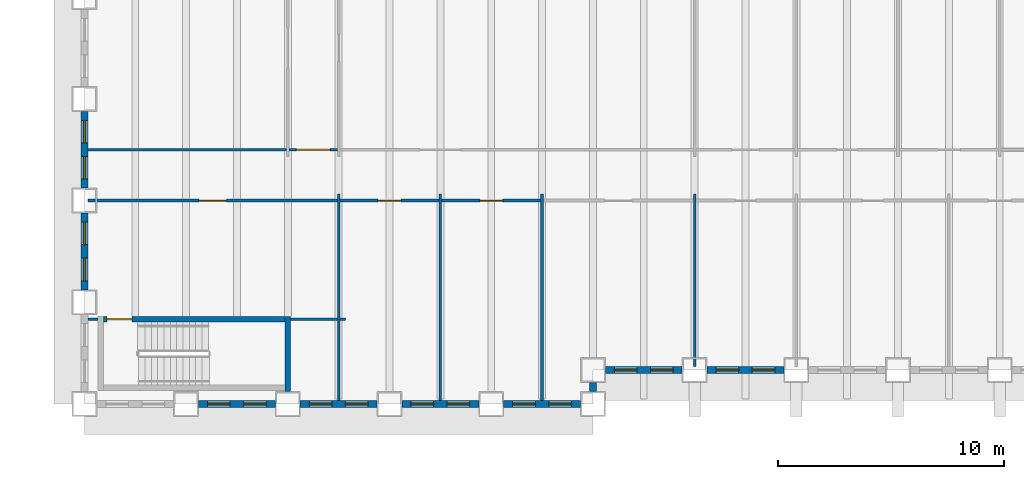
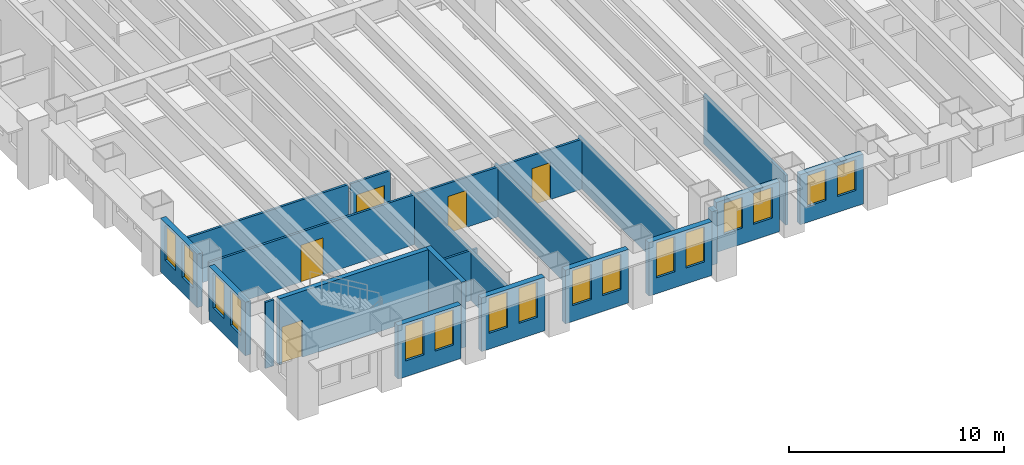
# One storey, part 3 of 16: 23 walls, 16 windows, 5 doors, 21 openings.
"""IFC4 building model written with IfcOpenShell, lengths in metres."""

from ifc_helpers import new_model, si_unit, direction, frame, frame_2d, origin, place, context, subcontext, project, spatial, rectangle, extrude, material, layer, layer_set, type_object, element, fill, save


model = new_model("IFC4")

# Units and contexts
model_context = context("Model", 3, precision=1e-05, world=origin(), true_north=direction((0.0, 1.0)))
body_context = subcontext(model_context, "Body", "Model", "MODEL_VIEW")
ifc_project = project(units=[si_unit("LENGTHUNIT", "METRE"), si_unit("AREAUNIT", "SQUARE_METRE"), si_unit("VOLUMEUNIT", "CUBIC_METRE"), si_unit("PLANEANGLEUNIT", "RADIAN"), si_unit("MASSUNIT", "GRAM", prefix="KILO")], contexts=[model_context])

# Site, building, storey
site_placement = place(None, origin())
site = spatial("IfcSite", under=ifc_project, at=site_placement, CompositionType="ELEMENT")
building_placement = place(site_placement, origin())
building = spatial("IfcBuilding", under=site, at=building_placement, Name="Sennacour Bend Tower", CompositionType="ELEMENT")
storey_placement = place(building_placement, frame((0.0, 0.0, 73.0)))
storey = spatial("IfcBuildingStorey", under=building, at=storey_placement, Name="L16", CompositionType="ELEMENT", Elevation=73.0)

# Walls
ifc_material_1 = material(Name="Plasterboard partition on steel studs", Category="steel")
ifc_layer_1 = layer(ifc_material_1, 0.1201171875, Name="Plasterboard partition on steel studs", Category="steel")
ifc_layer_set_1 = layer_set([ifc_layer_1], Name="Plasterboard partition on steel studs")
wall_type_1 = type_object("IfcWallType", Name="Partition 120", PredefinedType="PARTITIONING", material=ifc_layer_set_1)
for number, where, z_axis, x_axis, name in (
    (1, (11.25, 0.14990234375, 0.0), (0.0, 0.0, 1.0), (0.0, 1.0, 0.0), "P-L16-W013a"),
    (2, (15.75, 0.14990234375, 0.0), (0.0, 0.0, 1.0), (0.0, 1.0, 0.0), "P-L16-W019a"),
    (3, (20.25, 0.14990234375, 0.0), (0.0, 0.0, 1.0), (0.0, 1.0, 0.0), "P-L16-W024a"),
):
    element("IfcWall", number, at=place(storey_placement, frame(where, z_axis=z_axis, x_axis=x_axis)), inside=storey, type_object=wall_type_1, Name=name, PredefinedType="PARTITIONING", context=body_context, shape_type="SweptSolid", body=[
        extrude(rectangle(XDim=9.150146484375, YDim=0.1201171875, at=frame_2d((4.5751953125, 0.0))), origin(), (0.0, 0.0, 1.0), 2.837890625),
    ])
wall_1_placement = place(storey_placement, frame((27.0, 1.64990234375, 0.0), z_axis=(0.0, 0.0, 1.0), x_axis=(0.0, 1.0, 0.0)))
element("IfcWall", 4, at=wall_1_placement, inside=storey, type_object=wall_type_1, Name="P-L16-W026a", PredefinedType="PARTITIONING", context=body_context, shape_type="SweptSolid", body=[
    extrude(rectangle(XDim=7.650146484375, YDim=0.1201171875, at=frame_2d((3.8251953125, 0.0))), origin(), (0.0, 0.0, 1.0), 2.837890625),
])
wall_2_placement = place(storey_placement, frame((0.14990234375, 3.75, 0.0), z_axis=(0.0, 0.0, 1.0), x_axis=(1.0, 0.0, 0.0)))
element("IfcWall", 5, at=wall_2_placement, inside=storey, type_object=wall_type_1, Name="P-L16-W053a", PredefinedType="PARTITIONING", context=body_context, shape_type="SweptSolid", body=[
    extrude(rectangle(XDim=0.4501953125, YDim=0.1201171875, at=frame_2d((0.22509765625, 0.0))), origin(), (0.0, 0.0, 1.0), 3.75),
])
wall_3_placement = place(storey_placement, frame((9.125, 3.75, 0.0), z_axis=(0.0, 0.0, 1.0), x_axis=(1.0, 0.0, 0.0)))
element("IfcWall", 6, at=wall_3_placement, inside=storey, type_object=wall_type_1, Name="P-L16-W055aa", PredefinedType="PARTITIONING", context=body_context, shape_type="SweptSolid", body=[
    extrude(rectangle(XDim=2.06494140625, YDim=0.1201171875, at=frame_2d((1.032470703125, 0.0))), origin(), (0.0, 0.0, 1.0), 2.837890625),
])
wall_4_placement = place(storey_placement, frame((11.31005859375, 3.75, 0.0), z_axis=(0.0, 0.0, 1.0), x_axis=(1.0, 0.0, 0.0)))
element("IfcWall", 7, at=wall_4_placement, inside=storey, type_object=wall_type_1, Name="P-L16-W055ab", PredefinedType="PARTITIONING", context=body_context, shape_type="SweptSolid", body=[
    extrude(rectangle(XDim=0.239990234375, YDim=0.1201171875, at=frame_2d((0.1201171875, 0.0))), origin(), (0.0, 0.0, 1.0), 2.837890625),
])

# Wall, opening, door
wall_5_placement = place(storey_placement, frame((11.31005859375, 9.0, 0.0), z_axis=(0.0, 0.0, 1.0), x_axis=(1.0, 0.0, 0.0)))
wall_5 = element("IfcWall", 8, at=wall_5_placement, inside=storey, type_object=wall_type_1, Name="P-L16-W061ab", PredefinedType="PARTITIONING", context=body_context, shape_type="SweptSolid", body=[
    extrude(rectangle(XDim=4.3798828125, YDim=0.1201171875, at=frame_2d((2.18994140625, 0.0))), origin(), (0.0, 0.0, 1.0), 2.837890625),
])
opening_1_placement = place(wall_5_placement, frame((1.68994140625, 0.0, 0.0)))
opening_1 = element("IfcOpeningElement", 9, at=opening_1_placement, cuts=wall_5, Name="Opening OD2", PredefinedType="OPENING", context=body_context, shape_type="SweptSolid", body=[
    extrude(rectangle(XDim=1.0, YDim=2.10009765625, at=frame_2d((0.5, 1.050048828125))), frame((0.0, 0.070068359375, 0.0), z_axis=(0.0, -1.0, 0.0), x_axis=(1.0, 0.0, 0.0)), (0.0, 0.0, 1.0), 0.14013671875),
])
ifc_material_2 = material(Name="Timber", Category="wood")
door_type_1 = type_object("IfcDoorType", Name="DR-OFFICE-1000", OperationType="NOTDEFINED", PredefinedType="DOOR", material=ifc_material_2)
door_1_placement = place(opening_1_placement, origin())
door_1 = element("IfcDoor", 10, at=door_1_placement, inside=storey, type_object=door_type_1, Name="Door", OperationType="SINGLE_SWING_LEFT", OverallHeight=2.10009765625, OverallWidth=1.0, PredefinedType="DOOR", context=body_context, shape_type="SweptSolid", body=[
    extrude(rectangle(XDim=1.0, YDim=2.10009765625, at=frame_2d((0.5, 1.050048828125))), frame((0.0, 0.02490234375, 0.0), z_axis=(0.0, -1.0, 0.0), x_axis=(1.0, 0.0, 0.0)), (0.0, 0.0, 1.0), 0.050048828125),
])
fill(opening_1, door_1)

wall_6_placement = place(storey_placement, frame((15.81005859375, 9.0, 0.0), z_axis=(0.0, 0.0, 1.0), x_axis=(1.0, 0.0, 0.0)))
wall_6 = element("IfcWall", 11, at=wall_6_placement, inside=storey, type_object=wall_type_1, Name="P-L16-W061ac", PredefinedType="PARTITIONING", context=body_context, shape_type="SweptSolid", body=[
    extrude(rectangle(XDim=4.3798828125, YDim=0.1201171875, at=frame_2d((2.18994140625, 0.0))), origin(), (0.0, 0.0, 1.0), 2.837890625),
])
opening_2_placement = place(wall_6_placement, frame((1.68994140625, 0.0, 0.0)))
opening_2 = element("IfcOpeningElement", 12, at=opening_2_placement, cuts=wall_6, Name="Opening MD2", PredefinedType="OPENING", context=body_context, shape_type="SweptSolid", body=[
    extrude(rectangle(XDim=1.0, YDim=2.10009765625, at=frame_2d((0.5, 1.050048828125))), frame((0.0, 0.070068359375, 0.0), z_axis=(0.0, -1.0, 0.0), x_axis=(1.0, 0.0, 0.0)), (0.0, 0.0, 1.0), 0.14013671875),
])
door_type_2 = type_object("IfcDoorType", Name="DR-MEETING-1000", OperationType="NOTDEFINED", PredefinedType="DOOR", material=ifc_material_2)
door_2_placement = place(opening_2_placement, origin())
door_2 = element("IfcDoor", 13, at=door_2_placement, inside=storey, type_object=door_type_2, Name="Door", OperationType="SINGLE_SWING_LEFT", OverallHeight=2.10009765625, OverallWidth=1.0, PredefinedType="DOOR", context=body_context, shape_type="SweptSolid", body=[
    extrude(rectangle(XDim=1.0, YDim=2.10009765625, at=frame_2d((0.5, 1.050048828125))), frame((0.0, 0.02490234375, 0.0), z_axis=(0.0, -1.0, 0.0), x_axis=(1.0, 0.0, 0.0)), (0.0, 0.0, 1.0), 0.050048828125),
])
fill(opening_2, door_2)

# Wall
wall_7_placement = place(storey_placement, frame((0.14990234375, 11.25, 0.0), z_axis=(0.0, 0.0, 1.0), x_axis=(1.0, 0.0, 0.0)))
element("IfcWall", 14, at=wall_7_placement, inside=storey, type_object=wall_type_1, Name="P-L16-W063aa", PredefinedType="PARTITIONING", context=body_context, shape_type="SweptSolid", body=[
    extrude(rectangle(XDim=8.7900390625, YDim=0.1201171875, at=frame_2d((4.39501953125, 0.0))), origin(), (0.0, 0.0, 1.0), 2.837890625),
])

# Wall, opening, door
ifc_layer_2 = layer(ifc_material_1, 0.1201171875, Name="Plasterboard partition on steel studs", Category="steel")
ifc_layer_set_2 = layer_set([ifc_layer_2], Name="Plasterboard partition on steel studs")
wall_type_2 = type_object("IfcWallType", Name="Partition 120 EI 30", PredefinedType="PARTITIONING", material=ifc_layer_set_2)
wall_8_placement = place(storey_placement, frame((0.14990234375, 9.0, 0.0), z_axis=(0.0, 0.0, 1.0), x_axis=(1.0, 0.0, 0.0)))
wall_8 = element("IfcWall", 15, at=wall_8_placement, inside=storey, type_object=wall_type_2, Name="P-L16-W061aa", PredefinedType="PARTITIONING", context=body_context, shape_type="SweptSolid", body=[
    extrude(rectangle(XDim=11.0400390625, YDim=0.1201171875, at=frame_2d((5.52001953125, 0.0))), origin(), (0.0, 0.0, 1.0), 2.837890625),
])
opening_3_placement = place(wall_8_placement, frame((4.93017578125, 0.0, 0.0)))
opening_3 = element("IfcOpeningElement", 16, at=opening_3_placement, cuts=wall_8, Name="Opening KD2", PredefinedType="OPENING", context=body_context, shape_type="SweptSolid", body=[
    extrude(rectangle(XDim=1.199951171875, YDim=2.10009765625, at=frame_2d((0.60009765625, 1.050048828125))), frame((0.0, 0.070068359375, 0.0), z_axis=(0.0, -1.0, 0.0), x_axis=(1.0, 0.0, 0.0)), (0.0, 0.0, 1.0), 0.14013671875),
])
ifc_material_3 = material(Name="Painted steel", Category="steel")
door_type_3 = type_object("IfcDoorType", Name="DR-CORRIDOR-1200", OperationType="NOTDEFINED", PredefinedType="DOOR", material=ifc_material_3)
door_3_placement = place(opening_3_placement, origin())
door_3 = element("IfcDoor", 17, at=door_3_placement, inside=storey, type_object=door_type_3, Name="Door", OperationType="SINGLE_SWING_LEFT", OverallHeight=2.10009765625, OverallWidth=1.199951171875, PredefinedType="DOOR", context=body_context, shape_type="SweptSolid", body=[
    extrude(rectangle(XDim=1.199951171875, YDim=2.10009765625, at=frame_2d((0.60009765625, 1.050048828125))), frame((0.0, 0.02490234375, 0.0), z_axis=(0.0, -1.0, 0.0), x_axis=(1.0, 0.0, 0.0)), (0.0, 0.0, 1.0), 0.050048828125),
])
fill(opening_3, door_3)

wall_9_placement = place(storey_placement, frame((9.06005859375, 11.25, 0.0), z_axis=(0.0, 0.0, 1.0), x_axis=(1.0, 0.0, 0.0)))
wall_9 = element("IfcWall", 18, at=wall_9_placement, inside=storey, type_object=wall_type_2, Name="P-L16-W063ab", PredefinedType="PARTITIONING", context=body_context, shape_type="SweptSolid", body=[
    extrude(rectangle(XDim=2.1298828125, YDim=0.1201171875, at=frame_2d((1.06494140625, 0.0))), origin(), (0.0, 0.0, 1.0), 2.837890625),
])
opening_4_placement = place(wall_9_placement, frame((0.31494140625, 0.0, 0.0)))
opening_4 = element("IfcOpeningElement", 19, at=opening_4_placement, cuts=wall_9, Name="Opening KD", PredefinedType="OPENING", context=body_context, shape_type="SweptSolid", body=[
    extrude(rectangle(XDim=1.5, YDim=2.10009765625, at=frame_2d((0.75, 1.050048828125))), frame((0.0, 0.070068359375, 0.0), z_axis=(0.0, -1.0, 0.0), x_axis=(1.0, 0.0, 0.0)), (0.0, 0.0, 1.0), 0.14013671875),
])
door_type_4 = type_object("IfcDoorType", Name="DR-CORRIDOR-1500", OperationType="NOTDEFINED", PredefinedType="DOOR", material=ifc_material_3)
door_4_placement = place(opening_4_placement, origin())
door_4 = element("IfcDoor", 20, at=door_4_placement, inside=storey, type_object=door_type_4, Name="Door", OperationType="SINGLE_SWING_LEFT", OverallHeight=2.10009765625, OverallWidth=1.5, PredefinedType="DOOR", context=body_context, shape_type="SweptSolid", body=[
    extrude(rectangle(XDim=1.5, YDim=2.10009765625, at=frame_2d((0.75, 1.050048828125))), frame((0.0, 0.02490234375, 0.0), z_axis=(0.0, -1.0, 0.0), x_axis=(1.0, 0.0, 0.0)), (0.0, 0.0, 1.0), 0.050048828125),
])
fill(opening_4, door_4)

# Wall, openings, windows
ifc_material_4 = material(Name="Warm limestone cladding", Category="masonry")
ifc_layer_3 = layer(ifc_material_4, 0.050048828125, Name="Warm limestone cladding", Category="masonry")
ifc_material_5 = material(Name="Precast concrete C40/50", Category="concrete")
ifc_layer_4 = layer(ifc_material_5, 0.25, Name="Precast concrete C40/50", Category="concrete")
ifc_layer_set_3 = layer_set([ifc_layer_3, ifc_layer_4], Name="Precast concrete C40/50 with limestone cladding")
wall_type_3 = type_object("IfcWallType", Name="STONE-CLAD PRECAST SPANDREL 300", PredefinedType="STANDARD", material=ifc_layer_set_3)
wall_10_placement = place(storey_placement, frame((5.050048828125, 0.0, 0.0), z_axis=(0.0, 0.0, 1.0), x_axis=(1.0, 0.0, 0.0)))
wall_10 = element("IfcWall", 21, at=wall_10_placement, inside=storey, type_object=wall_type_3, Name="Stone spandrel and pier wall L16 00.01", PredefinedType="STANDARD", context=body_context, shape_type="SweptSolid", body=[
    extrude(rectangle(XDim=3.39990234375, YDim=0.300048828125, at=frame_2d((1.699951171875, 0.0))), origin(), (0.0, 0.0, 1.0), 3.0439453125),
])
opening_5_placement = place(wall_10_placement, frame((0.39990234375, 0.0, 0.89990234375)))
opening_5 = element("IfcOpeningElement", 22, at=opening_5_placement, cuts=wall_10, Name="Opening W8", PredefinedType="OPENING", context=body_context, shape_type="SweptSolid", body=[
    extrude(rectangle(XDim=1.0, YDim=2.0, at=frame_2d((0.5, 1.0))), frame((0.0, 0.16015625, 0.0), z_axis=(0.0, -1.0, 0.0), x_axis=(1.0, 0.0, 0.0)), (0.0, 0.0, 1.0), 0.320068359375),
])
opening_6_placement = place(wall_10_placement, frame((2.0, 0.0, 0.89990234375)))
opening_6 = element("IfcOpeningElement", 23, at=opening_6_placement, cuts=wall_10, Name="Opening W8", PredefinedType="OPENING", context=body_context, shape_type="SweptSolid", body=[
    extrude(rectangle(XDim=1.0, YDim=2.0, at=frame_2d((0.5, 1.0))), frame((0.0, 0.16015625, 0.0), z_axis=(0.0, -1.0, 0.0), x_axis=(1.0, 0.0, 0.0)), (0.0, 0.0, 1.0), 0.320068359375),
])
ifc_material_6 = material(Name="Clear low-emissivity glass", Category="glass")
window_type_1 = type_object("IfcWindowType", Name="WIN-RIBBON-1000x2000", PartitioningType="SINGLE_PANEL", PredefinedType="WINDOW", material=ifc_material_6)
window_1_placement = place(opening_5_placement, origin())
window_1 = element("IfcWindow", 24, at=window_1_placement, inside=storey, type_object=window_type_1, Name="Ribbon window L16 00.01.0", OverallHeight=2.0, OverallWidth=1.0, PartitioningType="SINGLE_PANEL", PredefinedType="WINDOW", context=body_context, shape_type="SweptSolid", body=[
    extrude(rectangle(XDim=1.0, YDim=2.0, at=frame_2d((0.5, 1.0))), frame((0.0, 0.030029296875, 0.0), z_axis=(0.0, -1.0, 0.0), x_axis=(1.0, 0.0, 0.0)), (0.0, 0.0, 1.0), 0.06005859375),
])
fill(opening_5, window_1)
window_2_placement = place(opening_6_placement, origin())
window_2 = element("IfcWindow", 25, at=window_2_placement, inside=storey, type_object=window_type_1, Name="Ribbon window L16 00.01.1", OverallHeight=2.0, OverallWidth=1.0, PartitioningType="SINGLE_PANEL", PredefinedType="WINDOW", context=body_context, shape_type="SweptSolid", body=[
    extrude(rectangle(XDim=1.0, YDim=2.0, at=frame_2d((0.5, 1.0))), frame((0.0, 0.030029296875, 0.0), z_axis=(0.0, -1.0, 0.0), x_axis=(1.0, 0.0, 0.0)), (0.0, 0.0, 1.0), 0.06005859375),
])
fill(opening_6, window_2)

wall_11_placement = place(storey_placement, frame((9.550048828125, 0.0, 0.0), z_axis=(0.0, 0.0, 1.0), x_axis=(1.0, 0.0, 0.0)))
wall_11 = element("IfcWall", 26, at=wall_11_placement, inside=storey, type_object=wall_type_3, Name="Stone spandrel and pier wall L16 00.02", PredefinedType="STANDARD", context=body_context, shape_type="SweptSolid", body=[
    extrude(rectangle(XDim=3.39990234375, YDim=0.300048828125, at=frame_2d((1.699951171875, 0.0))), origin(), (0.0, 0.0, 1.0), 3.0439453125),
])
opening_7_placement = place(wall_11_placement, frame((0.39990234375, 0.0, 0.89990234375)))
opening_7 = element("IfcOpeningElement", 27, at=opening_7_placement, cuts=wall_11, Name="Opening W8", PredefinedType="OPENING", context=body_context, shape_type="SweptSolid", body=[
    extrude(rectangle(XDim=1.0, YDim=2.0, at=frame_2d((0.5, 1.0))), frame((0.0, 0.16015625, 0.0), z_axis=(0.0, -1.0, 0.0), x_axis=(1.0, 0.0, 0.0)), (0.0, 0.0, 1.0), 0.320068359375),
])
opening_8_placement = place(wall_11_placement, frame((2.0, 0.0, 0.89990234375)))
opening_8 = element("IfcOpeningElement", 28, at=opening_8_placement, cuts=wall_11, Name="Opening W8", PredefinedType="OPENING", context=body_context, shape_type="SweptSolid", body=[
    extrude(rectangle(XDim=1.0, YDim=2.0, at=frame_2d((0.5, 1.0))), frame((0.0, 0.16015625, 0.0), z_axis=(0.0, -1.0, 0.0), x_axis=(1.0, 0.0, 0.0)), (0.0, 0.0, 1.0), 0.320068359375),
])
window_3_placement = place(opening_7_placement, origin())
window_3 = element("IfcWindow", 29, at=window_3_placement, inside=storey, type_object=window_type_1, Name="Ribbon window L16 00.02.0", OverallHeight=2.0, OverallWidth=1.0, PartitioningType="SINGLE_PANEL", PredefinedType="WINDOW", context=body_context, shape_type="SweptSolid", body=[
    extrude(rectangle(XDim=1.0, YDim=2.0, at=frame_2d((0.5, 1.0))), frame((0.0, 0.030029296875, 0.0), z_axis=(0.0, -1.0, 0.0), x_axis=(1.0, 0.0, 0.0)), (0.0, 0.0, 1.0), 0.06005859375),
])
fill(opening_7, window_3)
window_4_placement = place(opening_8_placement, origin())
window_4 = element("IfcWindow", 30, at=window_4_placement, inside=storey, type_object=window_type_1, Name="Ribbon window L16 00.02.1", OverallHeight=2.0, OverallWidth=1.0, PartitioningType="SINGLE_PANEL", PredefinedType="WINDOW", context=body_context, shape_type="SweptSolid", body=[
    extrude(rectangle(XDim=1.0, YDim=2.0, at=frame_2d((0.5, 1.0))), frame((0.0, 0.030029296875, 0.0), z_axis=(0.0, -1.0, 0.0), x_axis=(1.0, 0.0, 0.0)), (0.0, 0.0, 1.0), 0.06005859375),
])
fill(opening_8, window_4)

wall_12_placement = place(storey_placement, frame((14.050048828125, 0.0, 0.0), z_axis=(0.0, 0.0, 1.0), x_axis=(1.0, 0.0, 0.0)))
wall_12 = element("IfcWall", 31, at=wall_12_placement, inside=storey, type_object=wall_type_3, Name="Stone spandrel and pier wall L16 00.03", PredefinedType="STANDARD", context=body_context, shape_type="SweptSolid", body=[
    extrude(rectangle(XDim=3.39990234375, YDim=0.300048828125, at=frame_2d((1.699951171875, 0.0))), origin(), (0.0, 0.0, 1.0), 3.0439453125),
])
opening_9_placement = place(wall_12_placement, frame((0.39990234375, 0.0, 0.89990234375)))
opening_9 = element("IfcOpeningElement", 32, at=opening_9_placement, cuts=wall_12, Name="Opening W8", PredefinedType="OPENING", context=body_context, shape_type="SweptSolid", body=[
    extrude(rectangle(XDim=1.0, YDim=2.0, at=frame_2d((0.5, 1.0))), frame((0.0, 0.16015625, 0.0), z_axis=(0.0, -1.0, 0.0), x_axis=(1.0, 0.0, 0.0)), (0.0, 0.0, 1.0), 0.320068359375),
])
opening_10_placement = place(wall_12_placement, frame((2.0, 0.0, 0.89990234375)))
opening_10 = element("IfcOpeningElement", 33, at=opening_10_placement, cuts=wall_12, Name="Opening W8", PredefinedType="OPENING", context=body_context, shape_type="SweptSolid", body=[
    extrude(rectangle(XDim=1.0, YDim=2.0, at=frame_2d((0.5, 1.0))), frame((0.0, 0.16015625, 0.0), z_axis=(0.0, -1.0, 0.0), x_axis=(1.0, 0.0, 0.0)), (0.0, 0.0, 1.0), 0.320068359375),
])
window_5_placement = place(opening_9_placement, origin())
window_5 = element("IfcWindow", 34, at=window_5_placement, inside=storey, type_object=window_type_1, Name="Ribbon window L16 00.03.0", OverallHeight=2.0, OverallWidth=1.0, PartitioningType="SINGLE_PANEL", PredefinedType="WINDOW", context=body_context, shape_type="SweptSolid", body=[
    extrude(rectangle(XDim=1.0, YDim=2.0, at=frame_2d((0.5, 1.0))), frame((0.0, 0.030029296875, 0.0), z_axis=(0.0, -1.0, 0.0), x_axis=(1.0, 0.0, 0.0)), (0.0, 0.0, 1.0), 0.06005859375),
])
fill(opening_9, window_5)
window_6_placement = place(opening_10_placement, origin())
window_6 = element("IfcWindow", 35, at=window_6_placement, inside=storey, type_object=window_type_1, Name="Ribbon window L16 00.03.1", OverallHeight=2.0, OverallWidth=1.0, PartitioningType="SINGLE_PANEL", PredefinedType="WINDOW", context=body_context, shape_type="SweptSolid", body=[
    extrude(rectangle(XDim=1.0, YDim=2.0, at=frame_2d((0.5, 1.0))), frame((0.0, 0.030029296875, 0.0), z_axis=(0.0, -1.0, 0.0), x_axis=(1.0, 0.0, 0.0)), (0.0, 0.0, 1.0), 0.06005859375),
])
fill(opening_10, window_6)

wall_13_placement = place(storey_placement, frame((18.550048828125, 0.0, 0.0), z_axis=(0.0, 0.0, 1.0), x_axis=(1.0, 0.0, 0.0)))
wall_13 = element("IfcWall", 36, at=wall_13_placement, inside=storey, type_object=wall_type_3, Name="Stone spandrel and pier wall L16 00.04", PredefinedType="STANDARD", context=body_context, shape_type="SweptSolid", body=[
    extrude(rectangle(XDim=3.39990234375, YDim=0.300048828125, at=frame_2d((1.699951171875, 0.0))), origin(), (0.0, 0.0, 1.0), 3.0439453125),
])
opening_11_placement = place(wall_13_placement, frame((0.39990234375, 0.0, 0.89990234375)))
opening_11 = element("IfcOpeningElement", 37, at=opening_11_placement, cuts=wall_13, Name="Opening W8", PredefinedType="OPENING", context=body_context, shape_type="SweptSolid", body=[
    extrude(rectangle(XDim=1.0, YDim=2.0, at=frame_2d((0.5, 1.0))), frame((0.0, 0.16015625, 0.0), z_axis=(0.0, -1.0, 0.0), x_axis=(1.0, 0.0, 0.0)), (0.0, 0.0, 1.0), 0.320068359375),
])
opening_12_placement = place(wall_13_placement, frame((2.0, 0.0, 0.89990234375)))
opening_12 = element("IfcOpeningElement", 38, at=opening_12_placement, cuts=wall_13, Name="Opening W8", PredefinedType="OPENING", context=body_context, shape_type="SweptSolid", body=[
    extrude(rectangle(XDim=1.0, YDim=2.0, at=frame_2d((0.5, 1.0))), frame((0.0, 0.16015625, 0.0), z_axis=(0.0, -1.0, 0.0), x_axis=(1.0, 0.0, 0.0)), (0.0, 0.0, 1.0), 0.320068359375),
])
window_7_placement = place(opening_11_placement, origin())
window_7 = element("IfcWindow", 39, at=window_7_placement, inside=storey, type_object=window_type_1, Name="Ribbon window L16 00.04.0", OverallHeight=2.0, OverallWidth=1.0, PartitioningType="SINGLE_PANEL", PredefinedType="WINDOW", context=body_context, shape_type="SweptSolid", body=[
    extrude(rectangle(XDim=1.0, YDim=2.0, at=frame_2d((0.5, 1.0))), frame((0.0, 0.030029296875, 0.0), z_axis=(0.0, -1.0, 0.0), x_axis=(1.0, 0.0, 0.0)), (0.0, 0.0, 1.0), 0.06005859375),
])
fill(opening_11, window_7)
window_8_placement = place(opening_12_placement, origin())
window_8 = element("IfcWindow", 40, at=window_8_placement, inside=storey, type_object=window_type_1, Name="Ribbon window L16 00.04.1", OverallHeight=2.0, OverallWidth=1.0, PartitioningType="SINGLE_PANEL", PredefinedType="WINDOW", context=body_context, shape_type="SweptSolid", body=[
    extrude(rectangle(XDim=1.0, YDim=2.0, at=frame_2d((0.5, 1.0))), frame((0.0, 0.030029296875, 0.0), z_axis=(0.0, -1.0, 0.0), x_axis=(1.0, 0.0, 0.0)), (0.0, 0.0, 1.0), 0.06005859375),
])
fill(opening_12, window_8)

# Wall
wall_14_placement = place(storey_placement, frame((22.5, 0.550048828125, 0.0), z_axis=(0.0, 0.0, 1.0), x_axis=(0.0, 1.0, 0.0)))
element("IfcWall", 41, at=wall_14_placement, inside=storey, type_object=wall_type_3, Name="Stone spandrel and pier wall L16 01.00", PredefinedType="STANDARD", context=body_context, shape_type="SweptSolid", body=[
    extrude(rectangle(XDim=0.39990234375, YDim=0.300048828125, at=frame_2d((0.199951171875, 0.0))), origin(), (0.0, 0.0, 1.0), 3.0439453125),
])

# Wall, openings, windows
wall_15_placement = place(storey_placement, frame((23.050048828125, 1.5, 0.0), z_axis=(0.0, 0.0, 1.0), x_axis=(1.0, 0.0, 0.0)))
wall_15 = element("IfcWall", 42, at=wall_15_placement, inside=storey, type_object=wall_type_3, Name="Stone spandrel and pier wall L16 02.00", PredefinedType="STANDARD", context=body_context, shape_type="SweptSolid", body=[
    extrude(rectangle(XDim=3.39990234375, YDim=0.300048828125, at=frame_2d((1.699951171875, 0.0))), origin(), (0.0, 0.0, 1.0), 2.837890625),
])
opening_13_placement = place(wall_15_placement, frame((0.39990234375, 0.0, 0.89990234375)))
opening_13 = element("IfcOpeningElement", 43, at=opening_13_placement, cuts=wall_15, Name="Opening W11", PredefinedType="OPENING", context=body_context, shape_type="SweptSolid", body=[
    extrude(rectangle(XDim=1.0, YDim=1.75, at=frame_2d((0.5, 0.875))), frame((0.0, 0.16015625, 0.0), z_axis=(0.0, -1.0, 0.0), x_axis=(1.0, 0.0, 0.0)), (0.0, 0.0, 1.0), 0.320068359375),
])
opening_14_placement = place(wall_15_placement, frame((2.0, 0.0, 0.89990234375)))
opening_14 = element("IfcOpeningElement", 44, at=opening_14_placement, cuts=wall_15, Name="Opening W11", PredefinedType="OPENING", context=body_context, shape_type="SweptSolid", body=[
    extrude(rectangle(XDim=1.0, YDim=1.75, at=frame_2d((0.5, 0.875))), frame((0.0, 0.16015625, 0.0), z_axis=(0.0, -1.0, 0.0), x_axis=(1.0, 0.0, 0.0)), (0.0, 0.0, 1.0), 0.320068359375),
])
window_type_2 = type_object("IfcWindowType", Name="WIN-RIBBON-1000x1750", PartitioningType="SINGLE_PANEL", PredefinedType="WINDOW", material=ifc_material_6)
window_9_placement = place(opening_13_placement, origin())
window_9 = element("IfcWindow", 45, at=window_9_placement, inside=storey, type_object=window_type_2, Name="Ribbon window L16 02.00.0", OverallHeight=1.75, OverallWidth=1.0, PartitioningType="SINGLE_PANEL", PredefinedType="WINDOW", context=body_context, shape_type="SweptSolid", body=[
    extrude(rectangle(XDim=1.0, YDim=1.75, at=frame_2d((0.5, 0.875))), frame((0.0, 0.030029296875, 0.0), z_axis=(0.0, -1.0, 0.0), x_axis=(1.0, 0.0, 0.0)), (0.0, 0.0, 1.0), 0.06005859375),
])
fill(opening_13, window_9)
window_10_placement = place(opening_14_placement, origin())
window_10 = element("IfcWindow", 46, at=window_10_placement, inside=storey, type_object=window_type_2, Name="Ribbon window L16 02.00.1", OverallHeight=1.75, OverallWidth=1.0, PartitioningType="SINGLE_PANEL", PredefinedType="WINDOW", context=body_context, shape_type="SweptSolid", body=[
    extrude(rectangle(XDim=1.0, YDim=1.75, at=frame_2d((0.5, 0.875))), frame((0.0, 0.030029296875, 0.0), z_axis=(0.0, -1.0, 0.0), x_axis=(1.0, 0.0, 0.0)), (0.0, 0.0, 1.0), 0.06005859375),
])
fill(opening_14, window_10)

wall_16_placement = place(storey_placement, frame((27.550048828125, 1.5, 0.0), z_axis=(0.0, 0.0, 1.0), x_axis=(1.0, 0.0, 0.0)))
wall_16 = element("IfcWall", 47, at=wall_16_placement, inside=storey, type_object=wall_type_3, Name="Stone spandrel and pier wall L16 02.01", PredefinedType="STANDARD", context=body_context, shape_type="SweptSolid", body=[
    extrude(rectangle(XDim=3.39990234375, YDim=0.300048828125, at=frame_2d((1.699951171875, 0.0))), origin(), (0.0, 0.0, 1.0), 2.837890625),
])
opening_15_placement = place(wall_16_placement, frame((0.39990234375, 0.0, 0.89990234375)))
opening_15 = element("IfcOpeningElement", 48, at=opening_15_placement, cuts=wall_16, Name="Opening W11", PredefinedType="OPENING", context=body_context, shape_type="SweptSolid", body=[
    extrude(rectangle(XDim=1.0, YDim=1.75, at=frame_2d((0.5, 0.875))), frame((0.0, 0.16015625, 0.0), z_axis=(0.0, -1.0, 0.0), x_axis=(1.0, 0.0, 0.0)), (0.0, 0.0, 1.0), 0.320068359375),
])
opening_16_placement = place(wall_16_placement, frame((2.0, 0.0, 0.89990234375)))
opening_16 = element("IfcOpeningElement", 49, at=opening_16_placement, cuts=wall_16, Name="Opening W11", PredefinedType="OPENING", context=body_context, shape_type="SweptSolid", body=[
    extrude(rectangle(XDim=1.0, YDim=1.75, at=frame_2d((0.5, 0.875))), frame((0.0, 0.16015625, 0.0), z_axis=(0.0, -1.0, 0.0), x_axis=(1.0, 0.0, 0.0)), (0.0, 0.0, 1.0), 0.320068359375),
])
window_11_placement = place(opening_15_placement, origin())
window_11 = element("IfcWindow", 50, at=window_11_placement, inside=storey, type_object=window_type_2, Name="Ribbon window L16 02.01.0", OverallHeight=1.75, OverallWidth=1.0, PartitioningType="SINGLE_PANEL", PredefinedType="WINDOW", context=body_context, shape_type="SweptSolid", body=[
    extrude(rectangle(XDim=1.0, YDim=1.75, at=frame_2d((0.5, 0.875))), frame((0.0, 0.030029296875, 0.0), z_axis=(0.0, -1.0, 0.0), x_axis=(1.0, 0.0, 0.0)), (0.0, 0.0, 1.0), 0.06005859375),
])
fill(opening_15, window_11)
window_12_placement = place(opening_16_placement, origin())
window_12 = element("IfcWindow", 51, at=window_12_placement, inside=storey, type_object=window_type_2, Name="Ribbon window L16 02.01.1", OverallHeight=1.75, OverallWidth=1.0, PartitioningType="SINGLE_PANEL", PredefinedType="WINDOW", context=body_context, shape_type="SweptSolid", body=[
    extrude(rectangle(XDim=1.0, YDim=1.75, at=frame_2d((0.5, 0.875))), frame((0.0, 0.030029296875, 0.0), z_axis=(0.0, -1.0, 0.0), x_axis=(1.0, 0.0, 0.0)), (0.0, 0.0, 1.0), 0.06005859375),
])
fill(opening_16, window_12)

wall_17_placement = place(storey_placement, frame((0.0, 12.949951171875, 0.0), z_axis=(0.0, 0.0, 1.0), x_axis=(0.0, -1.0, 0.0)))
wall_17 = element("IfcWall", 52, at=wall_17_placement, inside=storey, type_object=wall_type_3, Name="Stone spandrel and pier wall L16 23.02", PredefinedType="STANDARD", context=body_context, shape_type="SweptSolid", body=[
    extrude(rectangle(XDim=3.39990234375, YDim=0.300048828125, at=frame_2d((1.699951171875, 0.0))), origin(), (0.0, 0.0, 1.0), 3.0439453125),
])
opening_17_placement = place(wall_17_placement, frame((0.39990234375, 0.0, 0.89990234375)))
opening_17 = element("IfcOpeningElement", 53, at=opening_17_placement, cuts=wall_17, Name="Opening W8", PredefinedType="OPENING", context=body_context, shape_type="SweptSolid", body=[
    extrude(rectangle(XDim=1.0, YDim=2.0, at=frame_2d((0.5, 1.0))), frame((0.0, 0.16015625, 0.0), z_axis=(0.0, -1.0, 0.0), x_axis=(1.0, 0.0, 0.0)), (0.0, 0.0, 1.0), 0.320068359375),
])
opening_18_placement = place(wall_17_placement, frame((2.0, 0.0, 0.89990234375)))
opening_18 = element("IfcOpeningElement", 54, at=opening_18_placement, cuts=wall_17, Name="Opening W8", PredefinedType="OPENING", context=body_context, shape_type="SweptSolid", body=[
    extrude(rectangle(XDim=1.0, YDim=2.0, at=frame_2d((0.5, 1.0))), frame((0.0, 0.16015625, 0.0), z_axis=(0.0, -1.0, 0.0), x_axis=(1.0, 0.0, 0.0)), (0.0, 0.0, 1.0), 0.320068359375),
])
window_13_placement = place(opening_17_placement, origin())
window_13 = element("IfcWindow", 55, at=window_13_placement, inside=storey, type_object=window_type_1, Name="Ribbon window L16 23.02.0", OverallHeight=2.0, OverallWidth=1.0, PartitioningType="SINGLE_PANEL", PredefinedType="WINDOW", context=body_context, shape_type="SweptSolid", body=[
    extrude(rectangle(XDim=1.0, YDim=2.0, at=frame_2d((0.5, 1.0))), frame((0.0, 0.030029296875, 0.0), z_axis=(0.0, -1.0, 0.0), x_axis=(1.0, 0.0, 0.0)), (0.0, 0.0, 1.0), 0.06005859375),
])
fill(opening_17, window_13)
window_14_placement = place(opening_18_placement, origin())
window_14 = element("IfcWindow", 56, at=window_14_placement, inside=storey, type_object=window_type_1, Name="Ribbon window L16 23.02.1", OverallHeight=2.0, OverallWidth=1.0, PartitioningType="SINGLE_PANEL", PredefinedType="WINDOW", context=body_context, shape_type="SweptSolid", body=[
    extrude(rectangle(XDim=1.0, YDim=2.0, at=frame_2d((0.5, 1.0))), frame((0.0, 0.030029296875, 0.0), z_axis=(0.0, -1.0, 0.0), x_axis=(1.0, 0.0, 0.0)), (0.0, 0.0, 1.0), 0.06005859375),
])
fill(opening_18, window_14)

wall_18_placement = place(storey_placement, frame((0.0, 8.449951171875, 0.0), z_axis=(0.0, 0.0, 1.0), x_axis=(0.0, -1.0, 0.0)))
wall_18 = element("IfcWall", 57, at=wall_18_placement, inside=storey, type_object=wall_type_3, Name="Stone spandrel and pier wall L16 23.03", PredefinedType="STANDARD", context=body_context, shape_type="SweptSolid", body=[
    extrude(rectangle(XDim=3.39990234375, YDim=0.300048828125, at=frame_2d((1.699951171875, 0.0))), origin(), (0.0, 0.0, 1.0), 3.0439453125),
])
opening_19_placement = place(wall_18_placement, frame((0.39990234375, 0.0, 0.89990234375)))
opening_19 = element("IfcOpeningElement", 58, at=opening_19_placement, cuts=wall_18, Name="Opening W8", PredefinedType="OPENING", context=body_context, shape_type="SweptSolid", body=[
    extrude(rectangle(XDim=1.0, YDim=2.0, at=frame_2d((0.5, 1.0))), frame((0.0, 0.16015625, 0.0), z_axis=(0.0, -1.0, 0.0), x_axis=(1.0, 0.0, 0.0)), (0.0, 0.0, 1.0), 0.320068359375),
])
opening_20_placement = place(wall_18_placement, frame((2.0, 0.0, 0.89990234375)))
opening_20 = element("IfcOpeningElement", 59, at=opening_20_placement, cuts=wall_18, Name="Opening W8", PredefinedType="OPENING", context=body_context, shape_type="SweptSolid", body=[
    extrude(rectangle(XDim=1.0, YDim=2.0, at=frame_2d((0.5, 1.0))), frame((0.0, 0.16015625, 0.0), z_axis=(0.0, -1.0, 0.0), x_axis=(1.0, 0.0, 0.0)), (0.0, 0.0, 1.0), 0.320068359375),
])
window_15_placement = place(opening_19_placement, origin())
window_15 = element("IfcWindow", 60, at=window_15_placement, inside=storey, type_object=window_type_1, Name="Ribbon window L16 23.03.0", OverallHeight=2.0, OverallWidth=1.0, PartitioningType="SINGLE_PANEL", PredefinedType="WINDOW", context=body_context, shape_type="SweptSolid", body=[
    extrude(rectangle(XDim=1.0, YDim=2.0, at=frame_2d((0.5, 1.0))), frame((0.0, 0.030029296875, 0.0), z_axis=(0.0, -1.0, 0.0), x_axis=(1.0, 0.0, 0.0)), (0.0, 0.0, 1.0), 0.06005859375),
])
fill(opening_19, window_15)
window_16_placement = place(opening_20_placement, origin())
window_16 = element("IfcWindow", 61, at=window_16_placement, inside=storey, type_object=window_type_1, Name="Ribbon window L16 23.03.1", OverallHeight=2.0, OverallWidth=1.0, PartitioningType="SINGLE_PANEL", PredefinedType="WINDOW", context=body_context, shape_type="SweptSolid", body=[
    extrude(rectangle(XDim=1.0, YDim=2.0, at=frame_2d((0.5, 1.0))), frame((0.0, 0.030029296875, 0.0), z_axis=(0.0, -1.0, 0.0), x_axis=(1.0, 0.0, 0.0)), (0.0, 0.0, 1.0), 0.06005859375),
])
fill(opening_20, window_16)

# Wall
ifc_material_7 = material(Name="Concrete C60/75", Category="concrete")
ifc_layer_5 = layer(ifc_material_7, 0.25, Name="Concrete C60/75", Category="concrete")
ifc_layer_set_4 = layer_set([ifc_layer_5], Name="Concrete C60/75")
wall_type_4 = type_object("IfcWallType", Name="Stair wall 250", PredefinedType="SHEAR", material=ifc_layer_set_4)
wall_19_placement = place(storey_placement, frame((9.0, 0.550048828125, 0.0), z_axis=(0.0, 0.0, 1.0), x_axis=(0.0, 1.0, 0.0)))
element("IfcWall", 62, at=wall_19_placement, inside=storey, type_object=wall_type_4, Name="P-L16-W010", PredefinedType="SHEAR", context=body_context, shape_type="SweptSolid", body=[
    extrude(rectangle(XDim=3.324951171875, YDim=0.25, at=frame_2d((1.66259765625, 0.0))), origin(), (0.0, 0.0, 1.0), 3.75),
])

# Wall, opening, door
wall_20_placement = place(storey_placement, frame((0.85009765625, 3.75, 0.0), z_axis=(0.0, 0.0, 1.0), x_axis=(1.0, 0.0, 0.0)))
wall_20 = element("IfcWall", 63, at=wall_20_placement, inside=storey, type_object=wall_type_4, Name="P-L16-W054", PredefinedType="SHEAR", context=body_context, shape_type="SweptSolid", body=[
    extrude(rectangle(XDim=8.02490234375, YDim=0.25, at=frame_2d((4.012451171875, 0.0))), origin(), (0.0, 0.0, 1.0), 3.75),
])
opening_21_placement = place(wall_20_placement, frame((0.14990234375, 0.0, 0.0)))
opening_21 = element("IfcOpeningElement", 64, at=opening_21_placement, cuts=wall_20, Name="Opening SD", PredefinedType="OPENING", context=body_context, shape_type="SweptSolid", body=[
    extrude(rectangle(XDim=1.10009765625, YDim=2.10009765625, at=frame_2d((0.550048828125, 1.050048828125))), frame((0.0, 0.135009765625, 0.0), z_axis=(0.0, -1.0, 0.0), x_axis=(1.0, 0.0, 0.0)), (0.0, 0.0, 1.0), 0.27001953125),
])
door_type_5 = type_object("IfcDoorType", Name="DR-STAIR-1100", OperationType="NOTDEFINED", PredefinedType="DOOR", material=ifc_material_3)
door_5_placement = place(opening_21_placement, origin())
door_5 = element("IfcDoor", 65, at=door_5_placement, inside=storey, type_object=door_type_5, Name="Door", OperationType="SINGLE_SWING_LEFT", OverallHeight=2.10009765625, OverallWidth=1.10009765625, PredefinedType="DOOR", context=body_context, shape_type="SweptSolid", body=[
    extrude(rectangle(XDim=1.10009765625, YDim=2.10009765625, at=frame_2d((0.550048828125, 1.050048828125))), frame((0.0, 0.02490234375, 0.0), z_axis=(0.0, -1.0, 0.0), x_axis=(1.0, 0.0, 0.0)), (0.0, 0.0, 1.0), 0.050048828125),
])
fill(opening_21, door_5)

save(model, "model.ifc")
